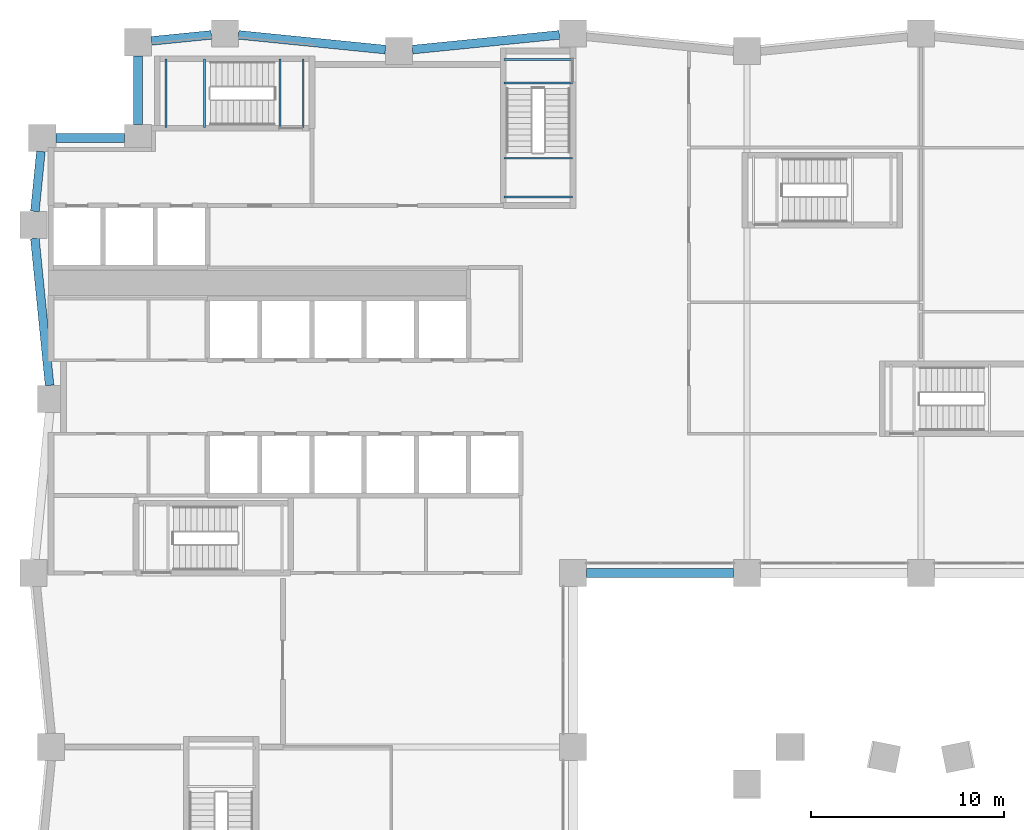
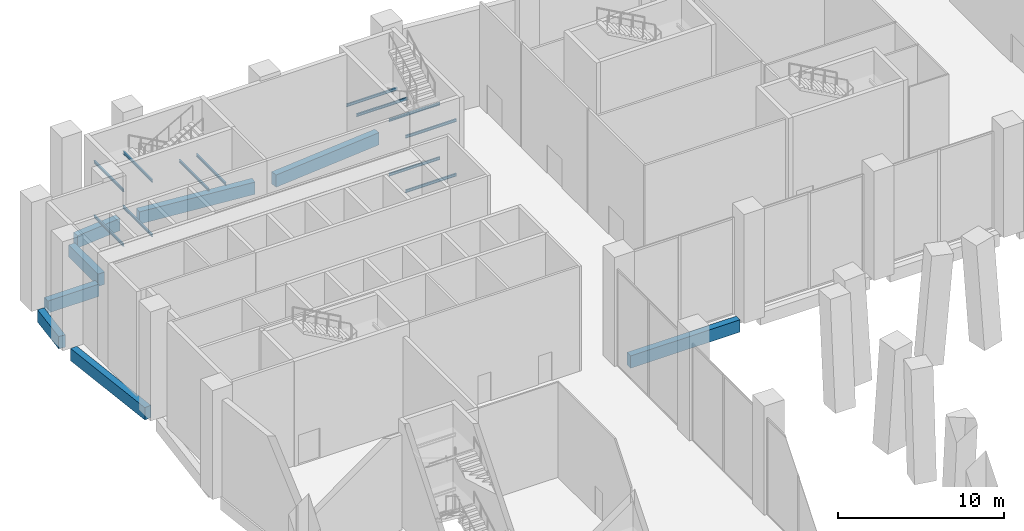
# One storey, part 5 of 19: 20 beams.
"""IFC4 building model written with IfcOpenShell, lengths in metres."""

import ifcopenshell
import ifcopenshell.guid

model = None  # the IFC model being written
_history = None  # IfcOwnerHistory: only IFC2X3 demands one
_inside = {}  # id of a spatial element -> (the spatial element, [elements in it])
_under = {}  # id of a project, library or spatial element -> (it, [spatial elements below it])
_declared = {}  # id of a project -> (the project, [libraries it declares])
_typed = {}  # id of a type object -> (the type object, [elements of that type])
_made_of = {}  # id of a material, layer set ... -> (it, [elements and type objects made of it])


def new_model(schema):
    """Start an empty IFC model of exactly this schema.

    Asked for "IFC4X3", IfcOpenShell would pick the latest addendum, in which some entities
    have other attributes; the version numbers below select the first issue.
    IFC2X3 requires an IfcOwnerHistory on every rooted entity: one is made here for all.
    """
    global model, _history
    if schema == "IFC4X3":
        model = ifcopenshell.file(schema_version=(4, 3, 0, 0))
    else:
        model = ifcopenshell.file(schema=schema)
    _inside.clear()
    _under.clear()
    _declared.clear()
    _typed.clear()
    _made_of.clear()
    _history = None
    if model.schema == "IFC2X3":
        org = make("IfcOrganization", Name="unknown")
        user = make(
            "IfcPersonAndOrganization",
            ThePerson=make("IfcPerson", FamilyName="unknown"),
            TheOrganization=org,
        )
        app = make(
            "IfcApplication",
            ApplicationDeveloper=org,
            Version="unknown",
            ApplicationFullName="unknown",
            ApplicationIdentifier="unknown",
        )
        _history = make(
            "IfcOwnerHistory",
            OwningUser=user,
            OwningApplication=app,
            ChangeAction="ADDED",
            CreationDate=0,
        )
    return model


def make(cls, **values):
    """One entity of the class cls with the attributes given. An attribute that is None is left unset."""
    return model.create_entity(
        cls, **{name: value for name, value in values.items() if value is not None}
    )


def rooted(cls, **values):
    """An entity with a GlobalId (a new one), such as an element, a storey or a relation."""
    return make(cls, GlobalId=ifcopenshell.guid.new(), OwnerHistory=_history, **values)


def si_unit(unit_type, name, prefix=None):
    """IfcSIUnit, for example si_unit("LENGTHUNIT", "METRE", prefix="MILLI")."""
    return make("IfcSIUnit", UnitType=unit_type, Prefix=prefix, Name=name)


def assignment(units):
    """IfcUnitAssignment: the units of a project."""
    return None if units is None else make("IfcUnitAssignment", Units=units)


def point(xyz):
    """IfcCartesianPoint."""
    return None if xyz is None else make("IfcCartesianPoint", Coordinates=xyz)


def direction(xyz):
    """IfcDirection."""
    return None if xyz is None else make("IfcDirection", DirectionRatios=xyz)


def frame(location, z_axis=None, x_axis=None):
    """IfcAxis2Placement3D, a coordinate frame: its origin and axes. An axis left out is left unset."""
    return make(
        "IfcAxis2Placement3D",
        Location=point(location),
        Axis=direction(z_axis),
        RefDirection=direction(x_axis),
    )


def frame_2d(location, x_axis=None):
    """IfcAxis2Placement2D, a coordinate frame in the plane: its origin and x axis."""
    return make(
        "IfcAxis2Placement2D", Location=point(location), RefDirection=direction(x_axis)
    )


def origin():
    """The frame at (0, 0, 0) with its axes left unset."""
    return frame((0.0, 0.0, 0.0))


def origin_2d():
    """The frame at (0, 0) in the plane with its x axis left unset."""
    return frame_2d((0.0, 0.0))


def place(relative_to, where):
    """IfcLocalPlacement: puts the frame where relative to a parent placement (None: the world)."""
    return make(
        "IfcLocalPlacement", PlacementRelTo=relative_to, RelativePlacement=where
    )


def context(
    kind, dimensions, precision=None, world=None, true_north=None, identifier=None
):
    """IfcGeometricRepresentationContext, for example the 3D "Model" context."""
    return make(
        "IfcGeometricRepresentationContext",
        ContextIdentifier=identifier,
        ContextType=kind,
        CoordinateSpaceDimension=dimensions,
        Precision=precision,
        WorldCoordinateSystem=world,
        TrueNorth=true_north,
    )


def subcontext(parent, identifier, kind, view, scale=None):
    """IfcGeometricRepresentationSubContext, for example "Body" below "Model"."""
    return make(
        "IfcGeometricRepresentationSubContext",
        ContextIdentifier=identifier,
        ContextType=kind,
        ParentContext=parent,
        TargetScale=scale,
        TargetView=view,
    )


def project(units=None, contexts=None):
    """IfcProject with its units and contexts."""
    return rooted(
        "IfcProject",
        Name="project",
        RepresentationContexts=contexts,
        UnitsInContext=assignment(units),
    )


def spatial(cls, under=None, at=None, **own):
    """A site, building, storey or space (cls), placed at a placement, below another one or the project."""
    s = rooted(cls, ObjectPlacement=at, **own)
    if under is not None:
        _under.setdefault(under.id(), (under, []))[1].append(s)
    return s


def profile(cls, at=None, kind="AREA", **sizes):
    """A parametric profile (cls). Its sizes go by their IFC names, for example OverallWidth=200.0."""
    return make(cls, ProfileType=kind, Position=at, **sizes)


def rectangle(**sizes):
    """IfcRectangleProfileDef."""
    return profile("IfcRectangleProfileDef", **sizes)


def i_section(**sizes):
    """IfcIShapeProfileDef."""
    return profile("IfcIShapeProfileDef", **sizes)


def extrude(swept, where, along, depth):
    """IfcExtrudedAreaSolid: the profile swept, set in the frame where, extruded along a direction by depth."""
    return make(
        "IfcExtrudedAreaSolid",
        SweptArea=swept,
        Position=where,
        ExtrudedDirection=direction(along),
        Depth=depth,
    )


def shape(context_of_items, identifier, shape_type, items):
    """IfcShapeRepresentation: the items that make up one representation, for example the "Body"."""
    return make(
        "IfcShapeRepresentation",
        ContextOfItems=context_of_items,
        RepresentationIdentifier=identifier,
        RepresentationType=shape_type,
        Items=items,
    )


def material(Name=None, Category=None):
    """IfcMaterial."""
    return make("IfcMaterial", Name=Name, Category=Category)


def material_profile(
    of_material, cross_section, Name=None, Category=None, Priority=None
):
    """IfcMaterialProfile: a cross section and its material."""
    return make(
        "IfcMaterialProfile",
        Name=Name,
        Material=of_material,
        Profile=cross_section,
        Priority=Priority,
        Category=Category,
    )


def profile_set(profiles, Name=None, composite=None):
    """IfcMaterialProfileSet."""
    return make(
        "IfcMaterialProfileSet",
        Name=Name,
        MaterialProfiles=profiles,
        CompositeProfile=composite,
    )


def made_of(thing, what):
    """Note that an element or type object is made of a material, layer set ...; save() writes the relation."""
    if what is not None:
        _made_of.setdefault(what.id(), (what, []))[1].append(thing)
    return thing


def type_object(cls, material=None, **own):
    """A type object (cls), such as IfcWallType, which elements share."""
    return made_of(rooted(cls, **own), material)


def element(
    cls,
    number,
    at=None,
    inside=None,
    cuts=None,
    type_object=None,
    material=None,
    context=None,
    identifier="Body",
    shape_type=None,
    held_by="IfcProductDefinitionShape",
    body=None,
    shapes=None,
    **own,
):
    """One element of the class cls, such as IfcWall. Its Tag is "e" and its number.

    at: its placement. inside: the storey or other place that contains it. cuts: it is an
    opening in that element (IfcRelVoidsElement). A single representation is given by context,
    identifier, shape_type and body (its items); several are given by shapes. held_by: the class
    of the entity that holds the representations. save() writes the other relations.
    """
    e = rooted(cls, Tag="e%d" % number, ObjectPlacement=at, **own)
    if body is not None:
        shapes = [shape(context, identifier, shape_type, body)]
    if shapes is not None:
        e.Representation = make(held_by, Representations=shapes)
    if inside is not None:
        _inside.setdefault(inside.id(), (inside, []))[1].append(e)
    if cuts is not None:
        rooted(
            "IfcRelVoidsElement", RelatingBuildingElement=cuts, RelatedOpeningElement=e
        )
    if type_object is not None:
        _typed.setdefault(type_object.id(), (type_object, []))[1].append(e)
    return made_of(e, material)


def aggregate(whole, parts):
    """IfcRelAggregates: a whole, such as a stair, and the parts it consists of."""
    return rooted("IfcRelAggregates", RelatingObject=whole, RelatedObjects=parts)


def save(model, path):
    """Write the relations noted so far, then the file.

    IfcRelAggregates (storeys below a building ...), IfcRelContainedInSpatialStructure (elements
    in a storey), IfcRelDefinesByType, IfcRelAssociatesMaterial and IfcRelDeclares: one each for
    every whole, place, type object, material and project.
    """
    for whole, parts in _under.values():
        aggregate(whole, parts)
    for where, things in _inside.values():
        rooted(
            "IfcRelContainedInSpatialStructure",
            RelatedElements=things,
            RelatingStructure=where,
        )
    for kind, things in _typed.values():
        rooted("IfcRelDefinesByType", RelatedObjects=things, RelatingType=kind)
    for what, things in _made_of.values():
        rooted("IfcRelAssociatesMaterial", RelatedObjects=things, RelatingMaterial=what)
    for by, libraries in _declared.values():
        rooted("IfcRelDeclares", RelatingContext=by, RelatedDefinitions=libraries)
    model.write(path)


model = new_model("IFC4")

# Units and contexts
model_context = context("Model", 3, precision=1e-05, world=origin(), true_north=direction((0.0, 1.0)))
body_context = subcontext(model_context, "Body", "Model", "MODEL_VIEW")
ifc_project = project(units=[si_unit("LENGTHUNIT", "METRE"), si_unit("AREAUNIT", "SQUARE_METRE"), si_unit("VOLUMEUNIT", "CUBIC_METRE"), si_unit("PLANEANGLEUNIT", "RADIAN"), si_unit("MASSUNIT", "GRAM", prefix="KILO")], contexts=[model_context])

# Site, building, storey
site_placement = place(None, origin())
site = spatial("IfcSite", under=ifc_project, at=site_placement, CompositionType="ELEMENT")
building_placement = place(site_placement, origin())
building = spatial("IfcBuilding", under=site, at=building_placement, Name="Brondeck Convention Tower", CompositionType="ELEMENT")
storey_placement = place(building_placement, frame((0.0, 0.0, 19.5)))
storey = spatial("IfcBuildingStorey", under=building, at=storey_placement, Name="L03", CompositionType="ELEMENT", Elevation=19.5)

# Beams
ifc_material_1 = material(Name="Concrete C80/95", Category="concrete")
ifc_material_profile_1 = material_profile(ifc_material_1, rectangle(XDim=0.449951171875, YDim=0.89990234375, at=origin_2d()), Name="Edge beam 450x900 Concrete C80/95")
ifc_profile_set_1 = profile_set([ifc_material_profile_1], Name="Concrete C80/95")
beam_type_1 = type_object("IfcBeamType", Name="Edge beam 450x900 Concrete C80/95", PredefinedType="BEAM", material=ifc_profile_set_1)
beam_1_placement = place(storey_placement, frame((27.699951171875, 36.0, -0.449951171875), z_axis=(1.0, 0.0, 0.0), x_axis=(0.0, 1.0, 0.0)))
element("IfcBeam", 1, at=beam_1_placement, inside=storey, type_object=beam_type_1, Name="STR-SP-L03-009", PredefinedType="BEAM", context=body_context, shape_type="SweptSolid", body=[
    extrude(rectangle(XDim=0.449951171875, YDim=0.89990234375, at=origin_2d()), origin(), (0.0, 0.0, 1.0), 7.60009765625),
])
for number, where, z_axis, x_axis, name in (
    (2, (26.300048828125, 63.830078125, -0.449951171875), (-0.99503719021, -0.099503719021, 0.0), (0.099503719021, -0.99503719021, 0.0), "STR-SP-L03-025"),
    (3, (17.300048828125, 63.070068359375, -0.449951171875), (-0.99503719021, 0.099503719021, 0.0), (-0.099503719021, -0.99503719021, 0.0), "STR-SP-L03-026"),
):
    element("IfcBeam", number, at=place(storey_placement, frame(where, z_axis=z_axis, x_axis=x_axis)), inside=storey, type_object=beam_type_1, Name=name, PredefinedType="BEAM", context=body_context, shape_type="SweptSolid", body=[
        extrude(rectangle(XDim=0.449951171875, YDim=0.89990234375, at=origin_2d()), origin(), (0.0, 0.0, 1.0), 7.637939453125),
    ])
beam_2_placement = place(storey_placement, frame((8.300048828125, 63.830078125, -0.449951171875), z_axis=(-0.995035638374, -0.099519236158, 0.0), x_axis=(0.099519236158, -0.995035638374, 0.0)))
element("IfcBeam", 4, at=beam_2_placement, inside=storey, type_object=beam_type_1, Name="STR-SP-L03-027", PredefinedType="BEAM", context=body_context, shape_type="SweptSolid", body=[
    extrude(rectangle(XDim=0.449951171875, YDim=0.89990234375, at=origin_2d()), origin(), (0.0, 0.0, 1.0), 3.115478515625),
])
for number, where, z_axis, x_axis, name in (
    (5, (4.5, 62.75, -0.449951171875), (0.0, -1.0, 0.0), (1.0, 0.0, 0.0), "STR-SP-L03-028"),
    (6, (3.800048828125, 58.5, -0.449951171875), (-1.0, 0.0, 0.0), (0.0, -1.0, 0.0), "STR-SP-L03-029"),
):
    element("IfcBeam", number, at=place(storey_placement, frame(where, z_axis=z_axis, x_axis=x_axis)), inside=storey, type_object=beam_type_1, Name=name, PredefinedType="BEAM", context=body_context, shape_type="SweptSolid", body=[
        extrude(rectangle(XDim=0.449951171875, YDim=0.89990234375, at=origin_2d()), origin(), (0.0, 0.0, 1.0), 3.550048828125),
    ])
beam_3_placement = place(storey_placement, frame((-0.52001953125, 57.800048828125, -0.449951171875), z_axis=(-0.099519236158, -0.995035638374, 0.0), x_axis=(0.995035638374, -0.099519236158, 0.0)))
element("IfcBeam", 7, at=beam_3_placement, inside=storey, type_object=beam_type_1, Name="STR-SP-L03-030", PredefinedType="BEAM", context=body_context, shape_type="SweptSolid", body=[
    extrude(rectangle(XDim=0.449951171875, YDim=0.89990234375, at=origin_2d()), origin(), (0.0, 0.0, 1.0), 3.115478515625),
])
beam_4_placement = place(storey_placement, frame((-0.830078125, 53.300048828125, -0.449951171875), z_axis=(0.099503719021, -0.99503719021, 0.0), x_axis=(0.99503719021, 0.099503719021, 0.0)))
element("IfcBeam", 8, at=beam_4_placement, inside=storey, type_object=beam_type_1, Name="STR-SP-L03-031", PredefinedType="BEAM", context=body_context, shape_type="SweptSolid", body=[
    extrude(rectangle(XDim=0.449951171875, YDim=0.89990234375, at=origin_2d()), origin(), (0.0, 0.0, 1.0), 7.637939453125),
])
ifc_material_2 = material(Name="Steel S355", Category="steel")
ifc_material_profile_2 = material_profile(ifc_material_2, i_section(OverallWidth=0.10009765625, OverallDepth=0.199951171875, WebThickness=0.005615234375, FlangeThickness=0.008544921875, FilletRadius=0.011962890625, at=origin_2d()), Name="IPE200")
ifc_profile_set_2 = profile_set([ifc_material_profile_2], Name="Steel S355")
beam_type_2 = type_object("IfcBeamType", Name="Landing ledger beam IPE 200", PredefinedType="BEAM", material=ifc_profile_set_2)
for number, where, z_axis, x_axis, name in (
    (9, (23.429931640625, 57.449951171875, 1.64990234375), (1.0, 0.0, 0.0), (0.0, 1.0, 0.0), "L03 ST-2 landing beam"),
    (10, (23.429931640625, 55.449951171875, 1.64990234375), (1.0, 0.0, 0.0), (0.0, 1.0, 0.0), "L03 ST-2 landing beam"),
    (11, (23.429931640625, 62.550048828125, 3.64990234375), (1.0, 0.0, 0.0), (0.0, 1.0, 0.0), "L03 ST-2 landing beam"),
    (12, (23.429931640625, 61.35009765625, 3.64990234375), (1.0, 0.0, 0.0), (0.0, 1.0, 0.0), "L03 ST-2 landing beam"),
    (13, (23.429931640625, 57.449951171875, 5.64990234375), (1.0, 0.0, 0.0), (0.0, 1.0, 0.0), "L03 ST-2 landing beam"),
    (14, (23.429931640625, 55.449951171875, 5.64990234375), (1.0, 0.0, 0.0), (0.0, 1.0, 0.0), "L03 ST-2 landing beam"),
    (15, (7.949951171875, 62.570068359375, 1.64990234375), (0.0, -1.0, 0.0), (1.0, 0.0, 0.0), "L03 ST-3 landing beam"),
    (16, (5.949951171875, 62.570068359375, 1.64990234375), (0.0, -1.0, 0.0), (1.0, 0.0, 0.0), "L03 ST-3 landing beam"),
    (17, (13.050048828125, 62.570068359375, 3.64990234375), (0.0, -1.0, 0.0), (1.0, 0.0, 0.0), "L03 ST-3 landing beam"),
    (18, (11.85009765625, 62.570068359375, 3.64990234375), (0.0, -1.0, 0.0), (1.0, 0.0, 0.0), "L03 ST-3 landing beam"),
    (19, (7.949951171875, 62.570068359375, 5.64990234375), (0.0, -1.0, 0.0), (1.0, 0.0, 0.0), "L03 ST-3 landing beam"),
    (20, (5.949951171875, 62.570068359375, 5.64990234375), (0.0, -1.0, 0.0), (1.0, 0.0, 0.0), "L03 ST-3 landing beam"),
):
    element("IfcBeam", number, at=place(storey_placement, frame(where, z_axis=z_axis, x_axis=x_axis)), inside=storey, type_object=beam_type_2, Name=name, PredefinedType="BEAM", context=body_context, shape_type="SweptSolid", body=[
        extrude(i_section(OverallWidth=0.10009765625, OverallDepth=0.199951171875, WebThickness=0.005615234375, FlangeThickness=0.008544921875, FilletRadius=0.011962890625, at=origin_2d()), origin(), (0.0, 0.0, 1.0), 3.5400390625),
    ])

save(model, "model.ifc")
